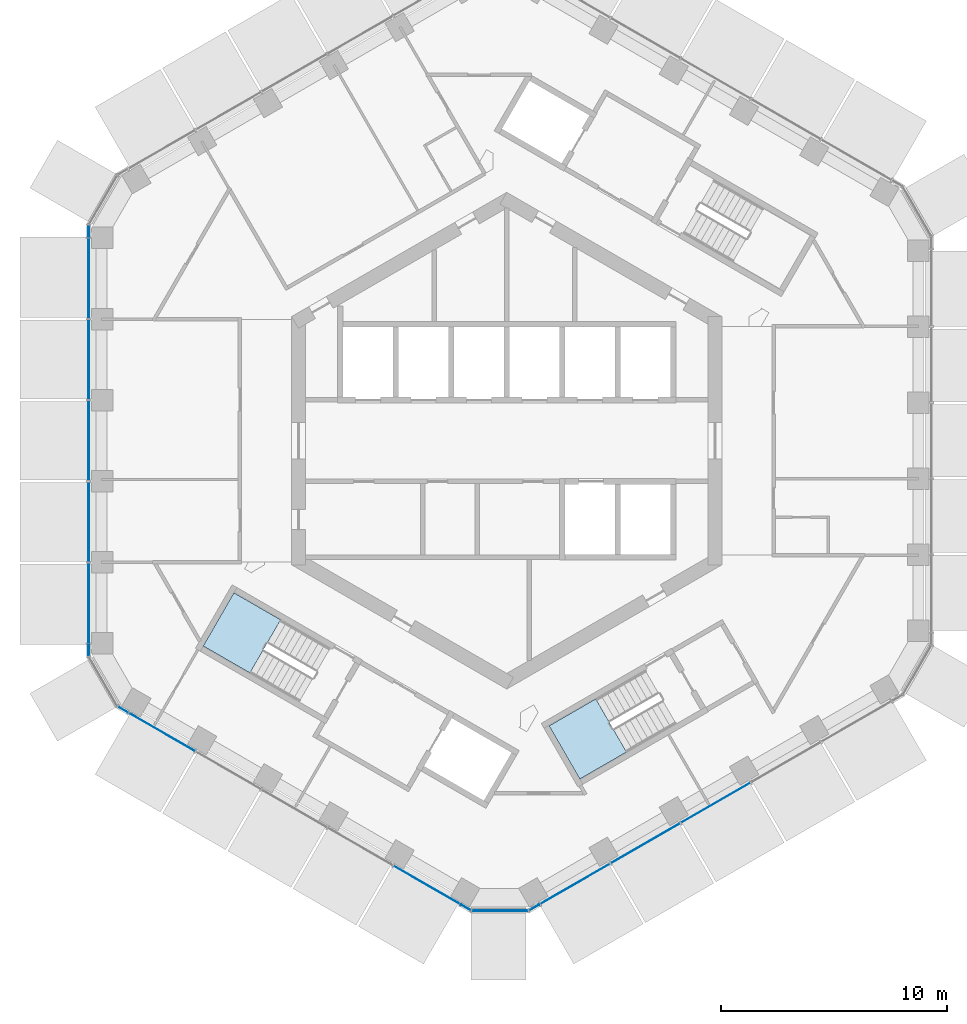
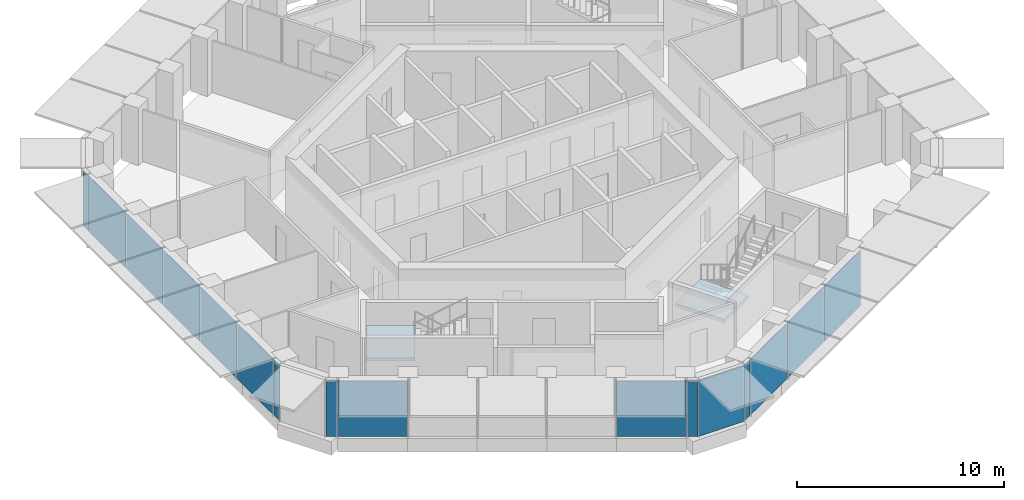
# One storey, part 9 of 18: 16 plates, 2 slabs, 8 elements without a shape of their own.
"""IFC4 building model written with IfcOpenShell, lengths in metres."""

from ifc_helpers import new_model, si_unit, direction, frame, origin, origin_2d, place, context, subcontext, project, spatial, polyline, rectangle, outline, extrude, material, layer, layer_set, type_object, element, aggregate, save


model = new_model("IFC4")

# Units and contexts
model_context = context("Model", 3, precision=1e-05, world=origin(), true_north=direction((0.0, 1.0)))
body_context = subcontext(model_context, "Body", "Model", "MODEL_VIEW")
ifc_project = project(units=[si_unit("LENGTHUNIT", "METRE"), si_unit("AREAUNIT", "SQUARE_METRE"), si_unit("VOLUMEUNIT", "CUBIC_METRE"), si_unit("PLANEANGLEUNIT", "RADIAN"), si_unit("MASSUNIT", "GRAM", prefix="KILO")], contexts=[model_context])

# Site, building, storey
site_placement = place(None, origin())
site = spatial("IfcSite", under=ifc_project, at=site_placement, CompositionType="ELEMENT")
building_placement = place(site_placement, origin())
building = spatial("IfcBuilding", under=site, at=building_placement, Name="Ayvan Gate Tower", CompositionType="ELEMENT")
storey_placement = place(building_placement, frame((0.0, 0.0, 169.699951171875)))
storey = spatial("IfcBuildingStorey", under=building, at=storey_placement, Name="L45", CompositionType="ELEMENT", Elevation=169.699951171875)

# Stair, slab
ifc_material_1 = material(Name="Concrete C40/50", Category="concrete")
stair_type = type_object("IfcStairType", Name="ST-EXIT", PredefinedType="HALF_TURN_STAIR", material=ifc_material_1)
stair_1_placement = place(storey_placement, origin())
stair_1 = element("IfcStair", 1, at=stair_1_placement, inside=storey, type_object=stair_type, Name="L45 Exit Stair S2", PredefinedType="HALF_TURN_STAIR")
ifc_layer_1 = layer(ifc_material_1, 0.199951171875)
ifc_layer_set_1 = layer_set([ifc_layer_1], Name="Concrete C40/50")
slab_type = type_object("IfcSlabType", Name="SL-LANDING-200", PredefinedType="LANDING", material=ifc_layer_set_1)
slab_1_placement = place(storey_placement, frame((0.0, 0.0, 1.5)))
slab_1 = element("IfcSlab", 2, at=slab_1_placement, type_object=slab_type, Name="STS2 landing 1", PredefinedType="LANDING", context=body_context, shape_type="SweptSolid", body=[
    extrude(outline(polyline([(-9.988525390625, -7.91064453125), (-12.049560546875, -6.720458984375), (-13.404541015625, -9.0673828125), (-11.343505859375, -10.257568359375), (-9.988525390625, -7.91064453125)])), origin(), (0.0, 0.0, 1.0), 0.199951171875),
])
aggregate(stair_1, [slab_1])

stair_2_placement = place(storey_placement, origin())
stair_2 = element("IfcStair", 3, at=stair_2_placement, inside=storey, type_object=stair_type, Name="L45 Exit Stair S3", PredefinedType="HALF_TURN_STAIR")
slab_2_placement = place(storey_placement, frame((0.0, 0.0, 1.5)))
slab_2 = element("IfcSlab", 4, at=slab_2_placement, type_object=slab_type, Name="STS3 landing 1", PredefinedType="LANDING", context=body_context, shape_type="SweptSolid", body=[
    extrude(outline(polyline([(3.93505859375, -11.405517578125), (1.873779296875, -12.595458984375), (3.228759765625, -14.9423828125), (5.2900390625, -13.75244140625), (3.93505859375, -11.405517578125)])), origin(), (0.0, 0.0, 1.0), 0.199951171875),
])
aggregate(stair_2, [slab_2])

# Curtain wall, plates
ifc_material_2 = material(Name="Bronze anodised aluminium", Category="aluminium")
ifc_layer_2 = layer(ifc_material_2, 0.199951171875)
ifc_layer_set_2 = layer_set([ifc_layer_2], Name="Bronze anodised aluminium")
curtain_wall_type_1 = type_object("IfcCurtainWallType", Name="Stick curtain wall CW-2", PredefinedType="NOTDEFINED", material=ifc_layer_set_2)
curtain_wall_1_placement = place(storey_placement, origin())
curtain_wall_1 = element("IfcCurtainWall", 5, at=curtain_wall_1_placement, inside=storey, type_object=curtain_wall_type_1, Name="Stick curtain wall CW-2 L45", PredefinedType="NOTDEFINED")
ifc_material_3 = material(Name="Clear low-iron laminated glass", Category="glass")
ifc_layer_3 = layer(ifc_material_3, 0.028076171875)
ifc_layer_set_3 = layer_set([ifc_layer_3], Name="Clear low-iron laminated glass")
plate_type_1 = type_object("IfcPlateType", Name="Stick curtain wall CW-2 glass panel", PredefinedType="CURTAIN_PANEL", material=ifc_layer_set_3)
plate_1_placement = place(storey_placement, frame((-18.46484375, 7.194580078125, 0.0), z_axis=(0.0, 0.0, 1.0), x_axis=(0.0, -1.0, 0.0)))
plate_1 = element("IfcPlate", 6, at=plate_1_placement, type_object=plate_type_1, Name="CW-2 glass panel 1", PredefinedType="CURTAIN_PANEL", context=body_context, shape_type="SweptSolid", body=[
    extrude(rectangle(XDim=3.571044921875, YDim=0.028076171875, at=origin_2d()), origin(), (0.0, 0.0, 1.0), 3.280029296875),
])
plate_2_placement = place(storey_placement, frame((-18.46484375, 3.58251953125, 0.0), z_axis=(0.0, 0.0, 1.0), x_axis=(0.0, -1.0, 0.0)))
plate_2 = element("IfcPlate", 7, at=plate_2_placement, type_object=plate_type_1, Name="CW-2 glass panel 2", PredefinedType="CURTAIN_PANEL", context=body_context, shape_type="SweptSolid", body=[
    extrude(rectangle(XDim=3.512939453125, YDim=0.028076171875, at=origin_2d()), origin(), (0.0, 0.0, 1.0), 3.280029296875),
])
plate_3_placement = place(storey_placement, frame((-18.46484375, 0.0, 0.0), z_axis=(0.0, 0.0, 1.0), x_axis=(0.0, -1.0, 0.0)))
plate_3 = element("IfcPlate", 8, at=plate_3_placement, type_object=plate_type_1, Name="CW-2 glass panel 3", PredefinedType="CURTAIN_PANEL", context=body_context, shape_type="SweptSolid", body=[
    extrude(rectangle(XDim=3.511962890625, YDim=0.028076171875, at=origin_2d()), origin(), (0.0, 0.0, 1.0), 3.280029296875),
])
plate_4_placement = place(storey_placement, frame((-18.46484375, -3.58251953125, 0.0), z_axis=(0.0, 0.0, 1.0), x_axis=(0.0, -1.0, 0.0)))
plate_4 = element("IfcPlate", 9, at=plate_4_placement, type_object=plate_type_1, Name="CW-2 glass panel 4", PredefinedType="CURTAIN_PANEL", context=body_context, shape_type="SweptSolid", body=[
    extrude(rectangle(XDim=3.512939453125, YDim=0.028076171875, at=origin_2d()), origin(), (0.0, 0.0, 1.0), 3.280029296875),
])
plate_5_placement = place(storey_placement, frame((-18.46484375, -7.194580078125, 0.0), z_axis=(0.0, 0.0, 1.0), x_axis=(0.0, -1.0, 0.0)))
plate_5 = element("IfcPlate", 10, at=plate_5_placement, type_object=plate_type_1, Name="CW-2 glass panel 5", PredefinedType="CURTAIN_PANEL", context=body_context, shape_type="SweptSolid", body=[
    extrude(rectangle(XDim=3.571044921875, YDim=0.028076171875, at=origin_2d()), origin(), (0.0, 0.0, 1.0), 3.280029296875),
])
aggregate(curtain_wall_1, [plate_1, plate_2, plate_3, plate_4, plate_5])

curtain_wall_2_placement = place(storey_placement, origin())
curtain_wall_2 = element("IfcCurtainWall", 11, at=curtain_wall_2_placement, inside=storey, type_object=curtain_wall_type_1, Name="Stick curtain wall CW-2 L45", PredefinedType="NOTDEFINED")
plate_6_placement = place(storey_placement, frame((-15.241943359375, -12.864013671875, 0.0), z_axis=(0.0, 0.0, 1.0), x_axis=(0.866025403784, -0.5, 0.0)))
plate_6 = element("IfcPlate", 12, at=plate_6_placement, type_object=plate_type_1, Name="CW-2 glass panel 1", PredefinedType="CURTAIN_PANEL", context=body_context, shape_type="SweptSolid", body=[
    extrude(rectangle(XDim=3.39599609375, YDim=0.028076171875, at=origin_2d()), origin(), (0.0, 0.0, 1.0), 3.280029296875),
])
plate_7_placement = place(storey_placement, frame((-3.51953125, -19.632080078125, 0.0), z_axis=(0.0, 0.0, 1.0), x_axis=(0.866025403784, -0.5, 0.0)))
plate_7 = element("IfcPlate", 13, at=plate_7_placement, type_object=plate_type_1, Name="CW-2 glass panel 5", PredefinedType="CURTAIN_PANEL", context=body_context, shape_type="SweptSolid", body=[
    extrude(rectangle(XDim=3.39599609375, YDim=0.028076171875, at=origin_2d()), origin(), (0.0, 0.0, 1.0), 3.280029296875),
])
aggregate(curtain_wall_2, [plate_6, plate_7])

curtain_wall_3_placement = place(storey_placement, origin())
curtain_wall_3 = element("IfcCurtainWall", 14, at=curtain_wall_3_placement, inside=storey, type_object=curtain_wall_type_1, Name="Stick curtain wall CW-2 L45", PredefinedType="NOTDEFINED")
plate_8_placement = place(storey_placement, frame((3.001708984375, -19.588134765625, 0.0), z_axis=(0.0, 0.0, 1.0), x_axis=(0.866025403784, 0.5, 0.0)))
plate_8 = element("IfcPlate", 15, at=plate_8_placement, type_object=plate_type_1, Name="CW-2 glass panel 1", PredefinedType="CURTAIN_PANEL", context=body_context, shape_type="SweptSolid", body=[
    extrude(rectangle(XDim=3.571044921875, YDim=0.028076171875, at=origin_2d()), origin(), (0.0, 0.0, 1.0), 3.280029296875),
])
plate_9_placement = place(storey_placement, frame((6.1298828125, -17.7822265625, 0.0), z_axis=(0.0, 0.0, 1.0), x_axis=(0.866025403784, 0.5, 0.0)))
plate_9 = element("IfcPlate", 16, at=plate_9_placement, type_object=plate_type_1, Name="CW-2 glass panel 2", PredefinedType="CURTAIN_PANEL", context=body_context, shape_type="SweptSolid", body=[
    extrude(rectangle(XDim=3.512939453125, YDim=0.028076171875, at=origin_2d()), origin(), (0.0, 0.0, 1.0), 3.280029296875),
])
plate_10_placement = place(storey_placement, frame((9.232421875, -15.990966796875, 0.0), z_axis=(0.0, 0.0, 1.0), x_axis=(0.866025403784, 0.5, 0.0)))
plate_10 = element("IfcPlate", 17, at=plate_10_placement, type_object=plate_type_1, Name="CW-2 glass panel 3", PredefinedType="CURTAIN_PANEL", context=body_context, shape_type="SweptSolid", body=[
    extrude(rectangle(XDim=3.511962890625, YDim=0.028076171875, at=origin_2d()), origin(), (0.0, 0.0, 1.0), 3.280029296875),
])
aggregate(curtain_wall_3, [plate_8, plate_9, plate_10])

# Curtain wall, plate
ifc_layer_4 = layer(ifc_material_2, 0.199951171875)
ifc_layer_set_4 = layer_set([ifc_layer_4], Name="Bronze anodised aluminium")
curtain_wall_type_2 = type_object("IfcCurtainWallType", Name="Stick curtain wall CW-6", PredefinedType="NOTDEFINED", material=ifc_layer_set_4)
curtain_wall_4_placement = place(storey_placement, origin())
curtain_wall_4 = element("IfcCurtainWall", 18, at=curtain_wall_4_placement, inside=storey, type_object=curtain_wall_type_2, Name="Stick curtain wall CW-6 L45", PredefinedType="NOTDEFINED")
ifc_layer_5 = layer(ifc_material_3, 0.028076171875)
ifc_layer_set_5 = layer_set([ifc_layer_5], Name="Clear low-iron laminated glass")
plate_type_2 = type_object("IfcPlateType", Name="Stick curtain wall CW-6 glass panel", PredefinedType="CURTAIN_PANEL", material=ifc_layer_set_5)
plate_11_placement = place(storey_placement, frame((-18.46484375, 9.264892578125, 0.0), z_axis=(0.0, 0.0, 1.0), x_axis=(0.0, -1.0, 0.0)))
plate_11 = element("IfcPlate", 19, at=plate_11_placement, type_object=plate_type_2, Name="CW-6 glass panel 3", PredefinedType="CURTAIN_PANEL", context=body_context, shape_type="SweptSolid", body=[
    extrude(rectangle(XDim=0.5, YDim=0.028076171875, at=origin_2d()), origin(), (0.0, 0.0, 1.0), 3.280029296875),
])
aggregate(curtain_wall_4, [plate_11])

# Curtain wall, plates
curtain_wall_5_placement = place(storey_placement, origin())
curtain_wall_5 = element("IfcCurtainWall", 20, at=curtain_wall_5_placement, inside=storey, type_object=curtain_wall_type_2, Name="Stick curtain wall CW-6 L45", PredefinedType="NOTDEFINED")
plate_12_placement = place(storey_placement, frame((-18.46484375, -9.264892578125, 0.0), z_axis=(0.0, 0.0, 1.0), x_axis=(0.0, -1.0, 0.0)))
plate_12 = element("IfcPlate", 21, at=plate_12_placement, type_object=plate_type_2, Name="CW-6 glass panel 1", PredefinedType="CURTAIN_PANEL", context=body_context, shape_type="SweptSolid", body=[
    extrude(rectangle(XDim=0.5, YDim=0.028076171875, at=origin_2d()), origin(), (0.0, 0.0, 1.0), 3.280029296875),
])
plate_13_placement = place(storey_placement, frame((-16.95947265625, -11.87255859375, 0.0), z_axis=(0.0, 0.0, 1.0), x_axis=(0.866025403784, -0.5, 0.0)))
plate_13 = element("IfcPlate", 22, at=plate_13_placement, type_object=plate_type_2, Name="CW-6 glass panel 3", PredefinedType="CURTAIN_PANEL", context=body_context, shape_type="SweptSolid", body=[
    extrude(rectangle(XDim=0.5, YDim=0.028076171875, at=origin_2d()), origin(), (0.0, 0.0, 1.0), 3.280029296875),
])
aggregate(curtain_wall_5, [plate_12, plate_13])

curtain_wall_6_placement = place(storey_placement, origin())
curtain_wall_6 = element("IfcCurtainWall", 23, at=curtain_wall_6_placement, inside=storey, type_object=curtain_wall_type_2, Name="Stick curtain wall CW-6 L45", PredefinedType="NOTDEFINED")
plate_14_placement = place(storey_placement, frame((-1.80224609375, -20.62353515625, 0.0), z_axis=(0.0, 0.0, 1.0), x_axis=(0.866025403784, -0.5, 0.0)))
plate_14 = element("IfcPlate", 24, at=plate_14_placement, type_object=plate_type_2, Name="CW-6 glass panel 1", PredefinedType="CURTAIN_PANEL", context=body_context, shape_type="SweptSolid", body=[
    extrude(rectangle(XDim=0.5, YDim=0.028076171875, at=origin_2d()), origin(), (0.0, 0.0, 1.0), 3.280029296875),
])
plate_15_placement = place(storey_placement, frame((-0.296630859375, -20.760986328125, 0.0), z_axis=(0.0, 0.0, 1.0), x_axis=(1.0, 0.0, 0.0)))
plate_15 = element("IfcPlate", 25, at=plate_15_placement, type_object=plate_type_2, Name="CW-6 glass panel 2", PredefinedType="CURTAIN_PANEL", context=body_context, shape_type="SweptSolid", body=[
    extrude(rectangle(XDim=2.484619140625, YDim=0.028076171875, at=origin_2d()), origin(), (0.0, 0.0, 1.0), 3.280029296875),
])
plate_16_placement = place(storey_placement, frame((1.208740234375, -20.62353515625, 0.0), z_axis=(0.0, 0.0, 1.0), x_axis=(0.866025403784, 0.5, 0.0)))
plate_16 = element("IfcPlate", 26, at=plate_16_placement, type_object=plate_type_2, Name="CW-6 glass panel 3", PredefinedType="CURTAIN_PANEL", context=body_context, shape_type="SweptSolid", body=[
    extrude(rectangle(XDim=0.5, YDim=0.028076171875, at=origin_2d()), origin(), (0.0, 0.0, 1.0), 3.280029296875),
])
aggregate(curtain_wall_6, [plate_14, plate_15, plate_16])

save(model, "model.ifc")
